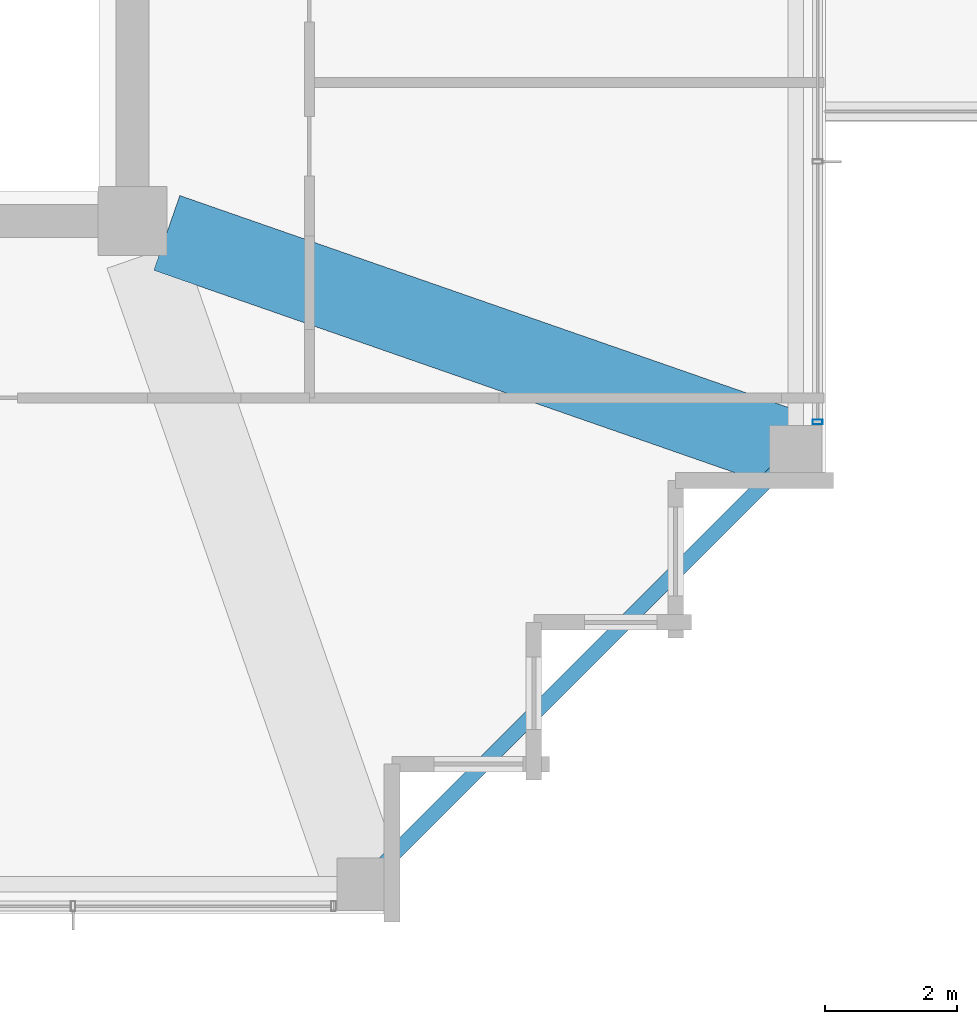
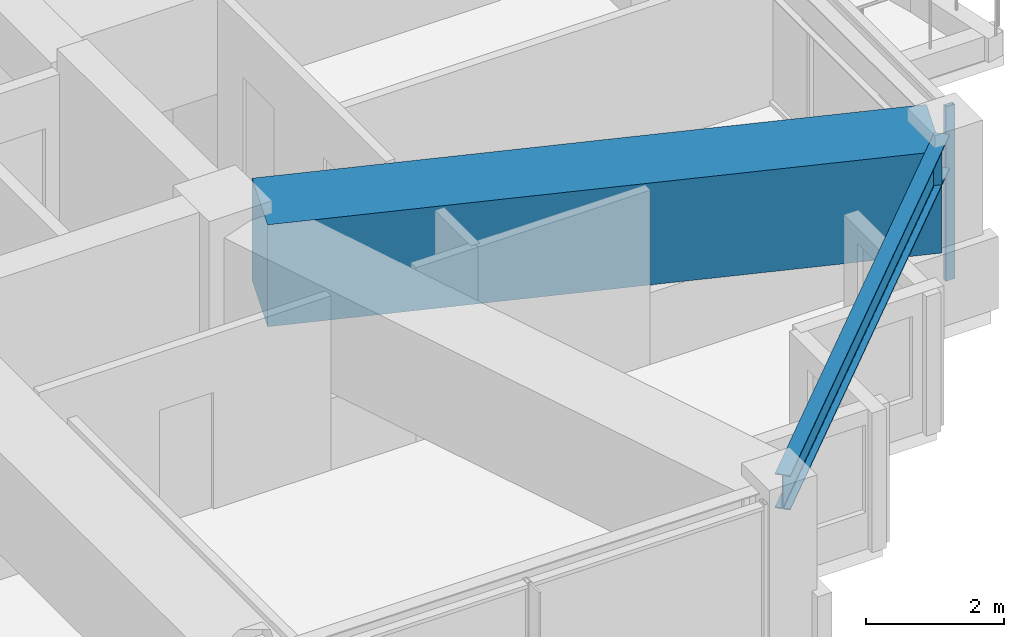
# One storey, part 12 of 35: 2 beams, 1 member, 1 element without a shape of its own.
"""IFC4 building model written with IfcOpenShell, lengths in metres."""

from ifc_helpers import new_model, si_unit, direction, frame, origin, origin_2d, place, context, subcontext, project, spatial, rectangle, hollow_rectangle, i_section, extrude, material, material_profile, profile_set, type_object, element, aggregate, save


model = new_model("IFC4")

# Units and contexts
model_context = context("Model", 3, precision=1e-05, world=origin(), true_north=direction((0.0, 1.0)))
body_context = subcontext(model_context, "Body", "Model", "MODEL_VIEW")
ifc_project = project(units=[si_unit("LENGTHUNIT", "METRE"), si_unit("AREAUNIT", "SQUARE_METRE"), si_unit("VOLUMEUNIT", "CUBIC_METRE"), si_unit("PLANEANGLEUNIT", "RADIAN"), si_unit("MASSUNIT", "GRAM", prefix="KILO")], contexts=[model_context])

# Site, building, storey
site_placement = place(None, origin())
site = spatial("IfcSite", under=ifc_project, at=site_placement, CompositionType="ELEMENT")
building_placement = place(site_placement, origin())
building = spatial("IfcBuilding", under=site, at=building_placement, Name="Kolvaren Belvedere", CompositionType="ELEMENT")
storey_placement = place(building_placement, frame((0.0, 0.0, 203.10009765625)))
storey = spatial("IfcBuildingStorey", under=building, at=storey_placement, Name="L59", CompositionType="ELEMENT", Elevation=203.10009765625)

# Beams
ifc_material_1 = material(Name="Structural steel ASTM A992 Grade 50", Category="steel")
ifc_material_profile_1 = material_profile(ifc_material_1, i_section(OverallWidth=0.22900390625, OverallDepth=0.612060546875, WebThickness=0.011962890625, FlangeThickness=0.01953125, FilletRadius=0.01806640625, at=origin_2d()), Name="W24X84")
ifc_profile_set_1 = profile_set([ifc_material_profile_1], Name="Structural steel ASTM A992 Grade 50")
beam_type_1 = type_object("IfcBeamType", Name="BM-SPAN-W24X84", PredefinedType="SPANDREL", material=ifc_profile_set_1)
beam_1_placement = place(storey_placement, frame((13.52734375, -19.82275390625, 2.77392578125), z_axis=(0.707106781187, 0.707106781187, 0.0), x_axis=(-0.707106781187, 0.707106781187, 0.0)))
element("IfcBeam", 1, at=beam_1_placement, inside=storey, type_object=beam_type_1, Name="L59 Perimeter Spandrel S4-E1", PredefinedType="SPANDREL", context=body_context, shape_type="SweptSolid", body=[
    extrude(i_section(OverallWidth=0.22900390625, OverallDepth=0.612060546875, WebThickness=0.011962890625, FlangeThickness=0.01953125, FilletRadius=0.01806640625, at=origin_2d()), origin(), (0.0, 0.0, 1.0), 8.903076171875),
])
ifc_material_2 = material(Name="Concrete C50/60", Category="concrete")
ifc_material_profile_2 = material_profile(ifc_material_2, rectangle(XDim=1.199951171875, YDim=1.800048828125, at=origin_2d()), Name="RC 1200X1800")
ifc_profile_set_2 = profile_set([ifc_material_profile_2], Name="Concrete C50/60")
beam_type_2 = type_object("IfcBeamType", Name="BM-TG-1800", PredefinedType="BEAM", material=ifc_profile_set_2)
beam_2_placement = place(storey_placement, frame((10.41943359375, -10.080810546875, 2.179931640625), z_axis=(0.944365399758, -0.328898147971, 0.0), x_axis=(0.328898147971, 0.944365399758, 0.0)))
element("IfcBeam", 2, at=beam_2_placement, inside=storey, type_object=beam_type_2, Name="L59 Corner Core-to-Perimeter Girder CC2-E1", PredefinedType="BEAM", context=body_context, shape_type="SweptSolid", body=[
    extrude(rectangle(XDim=1.199951171875, YDim=1.800048828125, at=origin_2d()), origin(), (0.0, 0.0, 1.0), 9.931884765625),
])

# Curtain wall, member
ifc_material_3 = material(Name="Anodised pale-metal aluminium AA 6063-T6", Category="aluminium")
curtain_wall_type = type_object("IfcCurtainWallType", Name="CW-Z5-HIGH", PredefinedType="NOTDEFINED", material=ifc_material_3)
curtain_wall_placement = place(storey_placement, origin())
curtain_wall = element("IfcCurtainWall", 3, at=curtain_wall_placement, inside=storey, type_object=curtain_wall_type, Name="L59 Unitised Curtain Wall FCW-L59-E2-B2", PredefinedType="NOTDEFINED")
ifc_material_4 = material(Name="Anodised pale-metal aluminium AA 6063-T6", Category="aluminium")
ifc_material_profile_3 = material_profile(ifc_material_4, hollow_rectangle(XDim=0.070068359375, YDim=0.14990234375, WallThickness=0.004150390625, at=origin_2d()), Name="ALU-MUL-150X70")
ifc_profile_set_3 = profile_set([ifc_material_profile_3], Name="Anodised pale-metal aluminium AA 6063-T6")
member_type = type_object("IfcMemberType", Name="CW-MUL-150", PredefinedType="MULLION", material=ifc_profile_set_3)
member_placement = place(storey_placement, frame((20.280029296875, -12.945068359375, 0.0), z_axis=(0.0, 0.0, 1.0), x_axis=(0.0, 1.0, 0.0)))
member = element("IfcMember", 4, at=member_placement, type_object=member_type, Name="FCW-L59-E2-B2 Unitised Mullion 3", PredefinedType="MULLION", context=body_context, shape_type="SweptSolid", body=[
    extrude(hollow_rectangle(XDim=0.070068359375, YDim=0.14990234375, WallThickness=0.004150390625, at=origin_2d()), origin(), (0.0, 0.0, 1.0), 3.079833984375),
])
aggregate(curtain_wall, [member])

save(model, "model.ifc")
